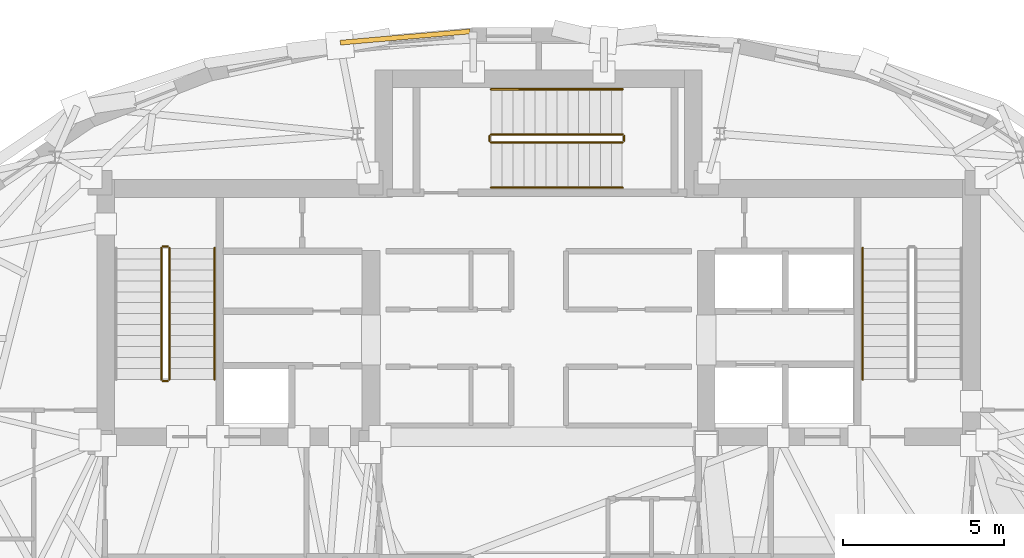
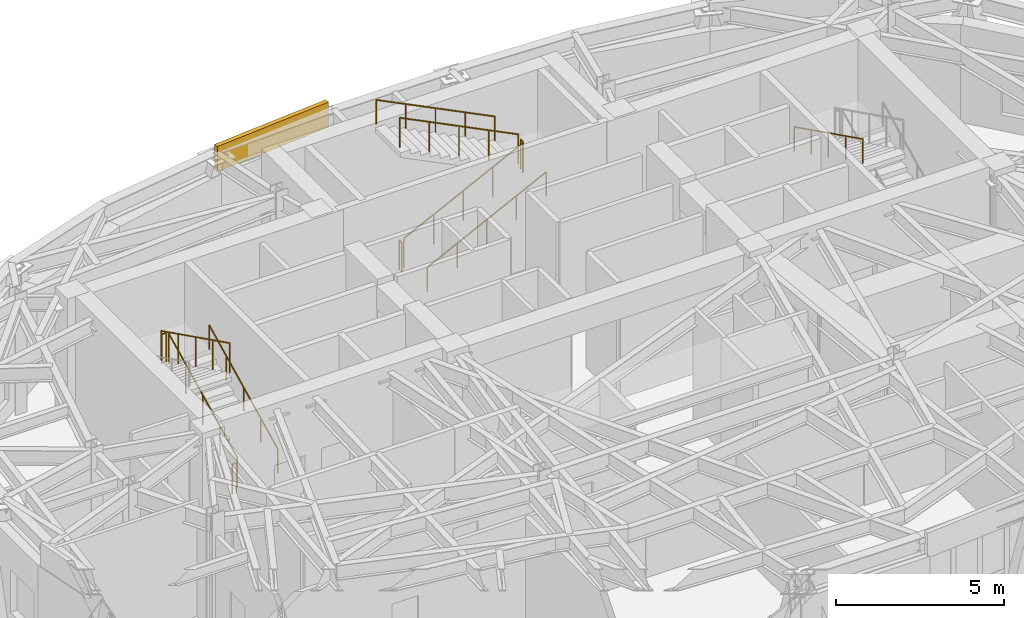
# One storey, part 14 of 15: 12 railings, 1 covering.
"""IFC4 building model written with IfcOpenShell, lengths in metres."""

import ifcopenshell
import ifcopenshell.guid

model = None  # the IFC model being written
_history = None  # IfcOwnerHistory: only IFC2X3 demands one
_inside = {}  # id of a spatial element -> (the spatial element, [elements in it])
_under = {}  # id of a project, library or spatial element -> (it, [spatial elements below it])
_declared = {}  # id of a project -> (the project, [libraries it declares])
_typed = {}  # id of a type object -> (the type object, [elements of that type])
_made_of = {}  # id of a material, layer set ... -> (it, [elements and type objects made of it])


def new_model(schema):
    """Start an empty IFC model of exactly this schema.

    Asked for "IFC4X3", IfcOpenShell would pick the latest addendum, in which some entities
    have other attributes; the version numbers below select the first issue.
    IFC2X3 requires an IfcOwnerHistory on every rooted entity: one is made here for all.
    """
    global model, _history
    if schema == "IFC4X3":
        model = ifcopenshell.file(schema_version=(4, 3, 0, 0))
    else:
        model = ifcopenshell.file(schema=schema)
    _inside.clear()
    _under.clear()
    _declared.clear()
    _typed.clear()
    _made_of.clear()
    _history = None
    if model.schema == "IFC2X3":
        org = make("IfcOrganization", Name="unknown")
        user = make(
            "IfcPersonAndOrganization",
            ThePerson=make("IfcPerson", FamilyName="unknown"),
            TheOrganization=org,
        )
        app = make(
            "IfcApplication",
            ApplicationDeveloper=org,
            Version="unknown",
            ApplicationFullName="unknown",
            ApplicationIdentifier="unknown",
        )
        _history = make(
            "IfcOwnerHistory",
            OwningUser=user,
            OwningApplication=app,
            ChangeAction="ADDED",
            CreationDate=0,
        )
    return model


def make(cls, **values):
    """One entity of the class cls with the attributes given. An attribute that is None is left unset."""
    return model.create_entity(
        cls, **{name: value for name, value in values.items() if value is not None}
    )


def rooted(cls, **values):
    """An entity with a GlobalId (a new one), such as an element, a storey or a relation."""
    return make(cls, GlobalId=ifcopenshell.guid.new(), OwnerHistory=_history, **values)


def si_unit(unit_type, name, prefix=None):
    """IfcSIUnit, for example si_unit("LENGTHUNIT", "METRE", prefix="MILLI")."""
    return make("IfcSIUnit", UnitType=unit_type, Prefix=prefix, Name=name)


def assignment(units):
    """IfcUnitAssignment: the units of a project."""
    return None if units is None else make("IfcUnitAssignment", Units=units)


def point(xyz):
    """IfcCartesianPoint."""
    return None if xyz is None else make("IfcCartesianPoint", Coordinates=xyz)


def direction(xyz):
    """IfcDirection."""
    return None if xyz is None else make("IfcDirection", DirectionRatios=xyz)


def frame(location, z_axis=None, x_axis=None):
    """IfcAxis2Placement3D, a coordinate frame: its origin and axes. An axis left out is left unset."""
    return make(
        "IfcAxis2Placement3D",
        Location=point(location),
        Axis=direction(z_axis),
        RefDirection=direction(x_axis),
    )


def frame_2d(location, x_axis=None):
    """IfcAxis2Placement2D, a coordinate frame in the plane: its origin and x axis."""
    return make(
        "IfcAxis2Placement2D", Location=point(location), RefDirection=direction(x_axis)
    )


def origin():
    """The frame at (0, 0, 0) with its axes left unset."""
    return frame((0.0, 0.0, 0.0))


def origin_2d():
    """The frame at (0, 0) in the plane with its x axis left unset."""
    return frame_2d((0.0, 0.0))


def place(relative_to, where):
    """IfcLocalPlacement: puts the frame where relative to a parent placement (None: the world)."""
    return make(
        "IfcLocalPlacement", PlacementRelTo=relative_to, RelativePlacement=where
    )


def context(
    kind, dimensions, precision=None, world=None, true_north=None, identifier=None
):
    """IfcGeometricRepresentationContext, for example the 3D "Model" context."""
    return make(
        "IfcGeometricRepresentationContext",
        ContextIdentifier=identifier,
        ContextType=kind,
        CoordinateSpaceDimension=dimensions,
        Precision=precision,
        WorldCoordinateSystem=world,
        TrueNorth=true_north,
    )


def subcontext(parent, identifier, kind, view, scale=None):
    """IfcGeometricRepresentationSubContext, for example "Body" below "Model"."""
    return make(
        "IfcGeometricRepresentationSubContext",
        ContextIdentifier=identifier,
        ContextType=kind,
        ParentContext=parent,
        TargetScale=scale,
        TargetView=view,
    )


def project(units=None, contexts=None):
    """IfcProject with its units and contexts."""
    return rooted(
        "IfcProject",
        Name="project",
        RepresentationContexts=contexts,
        UnitsInContext=assignment(units),
    )


def spatial(cls, under=None, at=None, **own):
    """A site, building, storey or space (cls), placed at a placement, below another one or the project."""
    s = rooted(cls, ObjectPlacement=at, **own)
    if under is not None:
        _under.setdefault(under.id(), (under, []))[1].append(s)
    return s


def profile(cls, at=None, kind="AREA", **sizes):
    """A parametric profile (cls). Its sizes go by their IFC names, for example OverallWidth=200.0."""
    return make(cls, ProfileType=kind, Position=at, **sizes)


def rectangle(**sizes):
    """IfcRectangleProfileDef."""
    return profile("IfcRectangleProfileDef", **sizes)


def circle(**sizes):
    """IfcCircleProfileDef."""
    return profile("IfcCircleProfileDef", **sizes)


def extrude(swept, where, along, depth):
    """IfcExtrudedAreaSolid: the profile swept, set in the frame where, extruded along a direction by depth."""
    return make(
        "IfcExtrudedAreaSolid",
        SweptArea=swept,
        Position=where,
        ExtrudedDirection=direction(along),
        Depth=depth,
    )


def shape(context_of_items, identifier, shape_type, items):
    """IfcShapeRepresentation: the items that make up one representation, for example the "Body"."""
    return make(
        "IfcShapeRepresentation",
        ContextOfItems=context_of_items,
        RepresentationIdentifier=identifier,
        RepresentationType=shape_type,
        Items=items,
    )


def material(Name=None, Category=None):
    """IfcMaterial."""
    return make("IfcMaterial", Name=Name, Category=Category)


def layer(
    of_material, thickness, ventilated=None, Name=None, Category=None, Priority=None
):
    """IfcMaterialLayer: one layer of a wall or slab, of a material (None: an air gap)."""
    return make(
        "IfcMaterialLayer",
        Material=of_material,
        LayerThickness=thickness,
        IsVentilated=ventilated,
        Name=Name,
        Category=Category,
        Priority=Priority,
    )


def layer_set(layers, Name=None):
    """IfcMaterialLayerSet."""
    return make("IfcMaterialLayerSet", MaterialLayers=layers, LayerSetName=Name)


def made_of(thing, what):
    """Note that an element or type object is made of a material, layer set ...; save() writes the relation."""
    if what is not None:
        _made_of.setdefault(what.id(), (what, []))[1].append(thing)
    return thing


def type_object(cls, material=None, **own):
    """A type object (cls), such as IfcWallType, which elements share."""
    return made_of(rooted(cls, **own), material)


def element(
    cls,
    number,
    at=None,
    inside=None,
    cuts=None,
    type_object=None,
    material=None,
    context=None,
    identifier="Body",
    shape_type=None,
    held_by="IfcProductDefinitionShape",
    body=None,
    shapes=None,
    **own,
):
    """One element of the class cls, such as IfcWall. Its Tag is "e" and its number.

    at: its placement. inside: the storey or other place that contains it. cuts: it is an
    opening in that element (IfcRelVoidsElement). A single representation is given by context,
    identifier, shape_type and body (its items); several are given by shapes. held_by: the class
    of the entity that holds the representations. save() writes the other relations.
    """
    e = rooted(cls, Tag="e%d" % number, ObjectPlacement=at, **own)
    if body is not None:
        shapes = [shape(context, identifier, shape_type, body)]
    if shapes is not None:
        e.Representation = make(held_by, Representations=shapes)
    if inside is not None:
        _inside.setdefault(inside.id(), (inside, []))[1].append(e)
    if cuts is not None:
        rooted(
            "IfcRelVoidsElement", RelatingBuildingElement=cuts, RelatedOpeningElement=e
        )
    if type_object is not None:
        _typed.setdefault(type_object.id(), (type_object, []))[1].append(e)
    return made_of(e, material)


def aggregate(whole, parts):
    """IfcRelAggregates: a whole, such as a stair, and the parts it consists of."""
    return rooted("IfcRelAggregates", RelatingObject=whole, RelatedObjects=parts)


def save(model, path):
    """Write the relations noted so far, then the file.

    IfcRelAggregates (storeys below a building ...), IfcRelContainedInSpatialStructure (elements
    in a storey), IfcRelDefinesByType, IfcRelAssociatesMaterial and IfcRelDeclares: one each for
    every whole, place, type object, material and project.
    """
    for whole, parts in _under.values():
        aggregate(whole, parts)
    for where, things in _inside.values():
        rooted(
            "IfcRelContainedInSpatialStructure",
            RelatedElements=things,
            RelatingStructure=where,
        )
    for kind, things in _typed.values():
        rooted("IfcRelDefinesByType", RelatedObjects=things, RelatingType=kind)
    for what, things in _made_of.values():
        rooted("IfcRelAssociatesMaterial", RelatedObjects=things, RelatingMaterial=what)
    for by, libraries in _declared.values():
        rooted("IfcRelDeclares", RelatingContext=by, RelatedDefinitions=libraries)
    model.write(path)


model = new_model("IFC4")

# Units and contexts
model_context = context("Model", 3, precision=1e-05, world=origin(), true_north=direction((0.0, 1.0)))
body_context = subcontext(model_context, "Body", "Model", "MODEL_VIEW")
ifc_project = project(units=[si_unit("LENGTHUNIT", "METRE"), si_unit("AREAUNIT", "SQUARE_METRE"), si_unit("VOLUMEUNIT", "CUBIC_METRE"), si_unit("PLANEANGLEUNIT", "RADIAN"), si_unit("MASSUNIT", "GRAM", prefix="KILO")], contexts=[model_context])

# Site, building, storey
site_placement = place(None, origin())
site = spatial("IfcSite", under=ifc_project, at=site_placement, CompositionType="ELEMENT")
building_placement = place(site_placement, origin())
building = spatial("IfcBuilding", under=site, at=building_placement, Name="Keldmark Tower", CompositionType="ELEMENT")
storey_placement = place(building_placement, frame((0.0, 0.0, 260.39990234375)))
storey = spatial("IfcBuildingStorey", under=building, at=storey_placement, Name="L74", CompositionType="ELEMENT", Elevation=260.39990234375)

# Covering
ifc_material_1 = material(Name="Honed Kasota Buff Dolomitic Limestone", Category="masonry")
ifc_layer = layer(ifc_material_1, 0.074951171875)
ifc_layer_set = layer_set([ifc_layer], Name="Honed Kasota Buff Dolomitic Limestone")
covering_type = type_object("IfcCoveringType", Name="Kasota Buff Limestone Spandrel Cladding Band", PredefinedType="CLADDING", material=ifc_layer_set)
covering_placement = place(storey_placement, frame((-4.135986328125, 13.969482421875, 3.47021484375), z_axis=(0.0, 0.0, 1.0), x_axis=(-0.996255301507, -0.086460246466, 0.0)))
element("IfcCovering", 1, at=covering_placement, inside=storey, type_object=covering_type, Name="L74 Kasota Limestone Spandrel Band 09", PredefinedType="CLADDING", context=body_context, shape_type="SweptSolid", body=[
    extrude(rectangle(XDim=4.04345703125, YDim=0.14990234375, at=origin_2d()), origin(), (0.0, 0.0, 1.0), 0.909912109375),
])

# Railings
ifc_material_2 = material(Name="Painted Steel ASTM A500 Grade B", Category="steel")
railing_type_1 = type_object("IfcRailingType", Name="Painted Steel Stair Well Guard 1100 mm", PredefinedType="GUARDRAIL", material=ifc_material_2)
railing_1_placement = place(storey_placement, frame((-11.449951171875, 3.35009765625, 0.16943359375)))
element("IfcRailing", 2, at=railing_1_placement, inside=storey, type_object=railing_type_1, Name="L74 ST1 stair guard 1", PredefinedType="GUARDRAIL", context=body_context, shape_type="SweptSolid", body=[
    extrude(circle(Radius=0.02392578125, at=origin_2d()), frame((0.0, 0.0, 1.076171875), z_axis=(0.0, 0.895229316009, 0.445605735777), x_axis=(-1.0, 0.0, 0.0)), (0.0, 0.0, 1.0), 4.557373046875),
    extrude(circle(Radius=0.02099609375, at=origin_2d()), origin(), (0.0, 0.0, 1.0), 1.052001953125),
    extrude(circle(Radius=0.02099609375, at=origin_2d()), frame((0.0, 1.02001953125, 0.5078125)), (0.0, 0.0, 1.0), 1.052001953125),
    extrude(circle(Radius=0.02099609375, at=origin_2d()), frame((0.0, 2.0400390625, 1.015380859375)), (0.0, 0.0, 1.0), 1.052001953125),
    extrude(circle(Radius=0.02099609375, at=origin_2d()), frame((0.0, 3.059814453125, 1.52294921875)), (0.0, 0.0, 1.0), 1.052001953125),
    extrude(circle(Radius=0.02099609375, at=origin_2d()), frame((0.0, 4.079833984375, 2.03076171875)), (0.0, 0.0, 1.0), 1.052001953125),
])
railing_2_placement = place(storey_placement, frame((-11.5, 7.47998046875, 2.2001953125)))
element("IfcRailing", 3, at=railing_2_placement, inside=storey, type_object=railing_type_1, Name="L74 ST1 stair guard 2", PredefinedType="GUARDRAIL", context=body_context, shape_type="SweptSolid", body=[
    extrude(circle(Radius=0.02392578125, at=origin_2d()), frame((0.0, 0.0, 1.076171875), z_axis=(-1.0, 0.0, 0.0), x_axis=(0.0, -1.0, 0.0)), (0.0, 0.0, 1.0), 0.14990234375),
    extrude(circle(Radius=0.02099609375, at=origin_2d()), origin(), (0.0, 0.0, 1.0), 1.052001953125),
    extrude(circle(Radius=0.02099609375, at=origin_2d()), frame((-0.14990234375, 0.0, 0.0)), (0.0, 0.0, 1.0), 1.052001953125),
])
railing_3_placement = place(storey_placement, frame((-11.699951171875, 7.429931640625, 2.369384765625)))
element("IfcRailing", 4, at=railing_3_placement, inside=storey, type_object=railing_type_1, Name="L74 ST1 stair guard 3", PredefinedType="GUARDRAIL", context=body_context, shape_type="SweptSolid", body=[
    extrude(circle(Radius=0.02392578125, at=origin_2d()), frame((0.0, 0.0, 1.076171875), z_axis=(0.0, -0.895229316009, 0.445605735777), x_axis=(1.0, 0.0, 0.0)), (0.0, 0.0, 1.0), 4.557373046875),
    extrude(circle(Radius=0.02099609375, at=origin_2d()), origin(), (0.0, 0.0, 1.0), 1.052001953125),
    extrude(circle(Radius=0.02099609375, at=origin_2d()), frame((0.0, -1.02001953125, 0.5078125)), (0.0, 0.0, 1.0), 1.052001953125),
    extrude(circle(Radius=0.02099609375, at=origin_2d()), frame((0.0, -2.0400390625, 1.015380859375)), (0.0, 0.0, 1.0), 1.052001953125),
    extrude(circle(Radius=0.02099609375, at=origin_2d()), frame((0.0, -3.059814453125, 1.52294921875)), (0.0, 0.0, 1.0), 1.052001953125),
    extrude(circle(Radius=0.02099609375, at=origin_2d()), frame((0.0, -4.079833984375, 2.03076171875)), (0.0, 0.0, 1.0), 1.052001953125),
])
railing_4_placement = place(storey_placement, frame((-11.5, 3.300048828125, 0.0)))
element("IfcRailing", 5, at=railing_4_placement, inside=storey, type_object=railing_type_1, Name="L74 ST1 stair guard 4", PredefinedType="GUARDRAIL", context=body_context, shape_type="SweptSolid", body=[
    extrude(circle(Radius=0.02392578125, at=origin_2d()), frame((0.0, 0.0, 1.076171875), z_axis=(-1.0, 0.0, 0.0), x_axis=(0.0, -1.0, 0.0)), (0.0, 0.0, 1.0), 0.14990234375),
    extrude(circle(Radius=0.02099609375, at=origin_2d()), origin(), (0.0, 0.0, 1.0), 1.052001953125),
    extrude(circle(Radius=0.02099609375, at=origin_2d()), frame((-0.14990234375, 0.0, 0.0)), (0.0, 0.0, 1.0), 1.052001953125),
])
railing_5_placement = place(storey_placement, frame((-1.47509765625, 10.699951171875, 0.16943359375)))
element("IfcRailing", 6, at=railing_5_placement, inside=storey, type_object=railing_type_1, Name="L74 ST3 stair guard 1", PredefinedType="GUARDRAIL", context=body_context, shape_type="SweptSolid", body=[
    extrude(circle(Radius=0.02392578125, at=origin_2d()), frame((0.0, 0.0, 1.076171875), z_axis=(0.895239952593, 0.0, 0.445584366064), x_axis=(0.0, 1.0, 0.0)), (0.0, 0.0, 1.0), 4.5576171875),
    extrude(circle(Radius=0.02099609375, at=origin_2d()), origin(), (0.0, 0.0, 1.0), 1.052001953125),
    extrude(circle(Radius=0.02099609375, at=origin_2d()), frame((1.02001953125, 0.0, 0.5078125)), (0.0, 0.0, 1.0), 1.052001953125),
    extrude(circle(Radius=0.02099609375, at=origin_2d()), frame((2.0400390625, 0.0, 1.015380859375)), (0.0, 0.0, 1.0), 1.052001953125),
    extrude(circle(Radius=0.02099609375, at=origin_2d()), frame((3.06005859375, 0.0, 1.52294921875)), (0.0, 0.0, 1.0), 1.052001953125),
    extrude(circle(Radius=0.02099609375, at=origin_2d()), frame((4.080078125, 0.0, 2.03076171875)), (0.0, 0.0, 1.0), 1.052001953125),
])
railing_6_placement = place(storey_placement, frame((2.655029296875, 10.75, 2.2001953125)))
element("IfcRailing", 7, at=railing_6_placement, inside=storey, type_object=railing_type_1, Name="L74 ST3 stair guard 2", PredefinedType="GUARDRAIL", context=body_context, shape_type="SweptSolid", body=[
    extrude(circle(Radius=0.02392578125, at=origin_2d()), frame((0.0, 0.0, 1.076171875), z_axis=(0.0, 1.0, 0.0), x_axis=(-1.0, 0.0, 0.0)), (0.0, 0.0, 1.0), 0.14990234375),
    extrude(circle(Radius=0.02099609375, at=origin_2d()), origin(), (0.0, 0.0, 1.0), 1.052001953125),
    extrude(circle(Radius=0.02099609375, at=origin_2d()), frame((0.0, 0.14990234375, 0.0)), (0.0, 0.0, 1.0), 1.052001953125),
])
railing_7_placement = place(storey_placement, frame((2.60498046875, 10.949951171875, 2.369384765625)))
element("IfcRailing", 8, at=railing_7_placement, inside=storey, type_object=railing_type_1, Name="L74 ST3 stair guard 3", PredefinedType="GUARDRAIL", context=body_context, shape_type="SweptSolid", body=[
    extrude(circle(Radius=0.02392578125, at=origin_2d()), frame((0.0, 0.0, 1.076171875), z_axis=(-0.895239952593, 0.0, 0.445584366064), x_axis=(0.0, -1.0, 0.0)), (0.0, 0.0, 1.0), 4.5576171875),
    extrude(circle(Radius=0.02099609375, at=origin_2d()), origin(), (0.0, 0.0, 1.0), 1.052001953125),
    extrude(circle(Radius=0.02099609375, at=origin_2d()), frame((-1.02001953125, 0.0, 0.5078125)), (0.0, 0.0, 1.0), 1.052001953125),
    extrude(circle(Radius=0.02099609375, at=origin_2d()), frame((-2.0400390625, 0.0, 1.015380859375)), (0.0, 0.0, 1.0), 1.052001953125),
    extrude(circle(Radius=0.02099609375, at=origin_2d()), frame((-3.06005859375, 0.0, 1.52294921875)), (0.0, 0.0, 1.0), 1.052001953125),
    extrude(circle(Radius=0.02099609375, at=origin_2d()), frame((-4.080078125, 0.0, 2.03076171875)), (0.0, 0.0, 1.0), 1.052001953125),
])
railing_8_placement = place(storey_placement, frame((-1.52490234375, 10.75, 0.0)))
element("IfcRailing", 9, at=railing_8_placement, inside=storey, type_object=railing_type_1, Name="L74 ST3 stair guard 4", PredefinedType="GUARDRAIL", context=body_context, shape_type="SweptSolid", body=[
    extrude(circle(Radius=0.02392578125, at=origin_2d()), frame((0.0, 0.0, 1.076171875), z_axis=(0.0, 1.0, 0.0), x_axis=(-1.0, 0.0, 0.0)), (0.0, 0.0, 1.0), 0.14990234375),
    extrude(circle(Radius=0.02099609375, at=origin_2d()), origin(), (0.0, 0.0, 1.0), 1.052001953125),
    extrude(circle(Radius=0.02099609375, at=origin_2d()), frame((0.0, 0.14990234375, 0.0)), (0.0, 0.0, 1.0), 1.052001953125),
])
ifc_material_3 = material(Name="Stainless Steel AISI 316L", Category="steel")
railing_type_2 = type_object("IfcRailingType", Name="Stainless Steel Stair Handrail 900 mm", PredefinedType="HANDRAIL", material=ifc_material_3)
railing_9_placement = place(storey_placement, frame((-10.050048828125, 3.35009765625, 0.16943359375)))
element("IfcRailing", 10, at=railing_9_placement, inside=storey, type_object=railing_type_2, Name="L74 ST1 stair handrail 1", PredefinedType="HANDRAIL", context=body_context, shape_type="SweptSolid", body=[
    extrude(circle(Radius=0.02392578125, at=origin_2d()), frame((0.0, 0.0, 0.8759765625), z_axis=(0.0, 0.895229316009, 0.445605735777), x_axis=(-1.0, 0.0, 0.0)), (0.0, 0.0, 1.0), 4.557373046875),
    extrude(circle(Radius=0.02099609375, at=origin_2d()), origin(), (0.0, 0.0, 1.0), 0.851806640625),
    extrude(circle(Radius=0.02099609375, at=origin_2d()), frame((0.0, 1.02001953125, 0.5078125)), (0.0, 0.0, 1.0), 0.851806640625),
    extrude(circle(Radius=0.02099609375, at=origin_2d()), frame((0.0, 2.0400390625, 1.015380859375)), (0.0, 0.0, 1.0), 0.851806640625),
    extrude(circle(Radius=0.02099609375, at=origin_2d()), frame((0.0, 3.059814453125, 1.52294921875)), (0.0, 0.0, 1.0), 0.851806640625),
    extrude(circle(Radius=0.02099609375, at=origin_2d()), frame((0.0, 4.079833984375, 2.03076171875)), (0.0, 0.0, 1.0), 0.851806640625),
])
railing_10_placement = place(storey_placement, frame((10.050048828125, 7.429931640625, 2.369384765625)))
element("IfcRailing", 11, at=railing_10_placement, inside=storey, type_object=railing_type_2, Name="L74 ST2 stair handrail 2", PredefinedType="HANDRAIL", context=body_context, shape_type="SweptSolid", body=[
    extrude(circle(Radius=0.02392578125, at=origin_2d()), frame((0.0, 0.0, 0.8759765625), z_axis=(0.0, -0.895229316009, 0.445605735777), x_axis=(1.0, 0.0, 0.0)), (0.0, 0.0, 1.0), 4.557373046875),
    extrude(circle(Radius=0.02099609375, at=origin_2d()), origin(), (0.0, 0.0, 1.0), 0.851806640625),
    extrude(circle(Radius=0.02099609375, at=origin_2d()), frame((0.0, -1.02001953125, 0.5078125)), (0.0, 0.0, 1.0), 0.851806640625),
    extrude(circle(Radius=0.02099609375, at=origin_2d()), frame((0.0, -2.0400390625, 1.015380859375)), (0.0, 0.0, 1.0), 0.851806640625),
    extrude(circle(Radius=0.02099609375, at=origin_2d()), frame((0.0, -3.059814453125, 1.52294921875)), (0.0, 0.0, 1.0), 0.851806640625),
    extrude(circle(Radius=0.02099609375, at=origin_2d()), frame((0.0, -4.079833984375, 2.03076171875)), (0.0, 0.0, 1.0), 0.851806640625),
])
railing_11_placement = place(storey_placement, frame((-1.47509765625, 9.300048828125, 0.16943359375)))
element("IfcRailing", 12, at=railing_11_placement, inside=storey, type_object=railing_type_2, Name="L74 ST3 stair handrail 1", PredefinedType="HANDRAIL", context=body_context, shape_type="SweptSolid", body=[
    extrude(circle(Radius=0.02392578125, at=origin_2d()), frame((0.0, 0.0, 0.8759765625), z_axis=(0.895239952593, 0.0, 0.445584366064), x_axis=(0.0, 1.0, 0.0)), (0.0, 0.0, 1.0), 4.5576171875),
    extrude(circle(Radius=0.02099609375, at=origin_2d()), origin(), (0.0, 0.0, 1.0), 0.851806640625),
    extrude(circle(Radius=0.02099609375, at=origin_2d()), frame((1.02001953125, 0.0, 0.5078125)), (0.0, 0.0, 1.0), 0.851806640625),
    extrude(circle(Radius=0.02099609375, at=origin_2d()), frame((2.0400390625, 0.0, 1.015380859375)), (0.0, 0.0, 1.0), 0.851806640625),
    extrude(circle(Radius=0.02099609375, at=origin_2d()), frame((3.06005859375, 0.0, 1.52294921875)), (0.0, 0.0, 1.0), 0.851806640625),
    extrude(circle(Radius=0.02099609375, at=origin_2d()), frame((4.080078125, 0.0, 2.03076171875)), (0.0, 0.0, 1.0), 0.851806640625),
])
railing_12_placement = place(storey_placement, frame((2.60498046875, 12.35009765625, 2.369384765625)))
element("IfcRailing", 13, at=railing_12_placement, inside=storey, type_object=railing_type_2, Name="L74 ST3 stair handrail 2", PredefinedType="HANDRAIL", context=body_context, shape_type="SweptSolid", body=[
    extrude(circle(Radius=0.02392578125, at=origin_2d()), frame((0.0, 0.0, 0.8759765625), z_axis=(-0.895239952593, 0.0, 0.445584366064), x_axis=(0.0, -1.0, 0.0)), (0.0, 0.0, 1.0), 4.5576171875),
    extrude(circle(Radius=0.02099609375, at=origin_2d()), origin(), (0.0, 0.0, 1.0), 0.851806640625),
    extrude(circle(Radius=0.02099609375, at=origin_2d()), frame((-1.02001953125, 0.0, 0.5078125)), (0.0, 0.0, 1.0), 0.851806640625),
    extrude(circle(Radius=0.02099609375, at=origin_2d()), frame((-2.0400390625, 0.0, 1.015380859375)), (0.0, 0.0, 1.0), 0.851806640625),
    extrude(circle(Radius=0.02099609375, at=origin_2d()), frame((-3.06005859375, 0.0, 1.52294921875)), (0.0, 0.0, 1.0), 0.851806640625),
    extrude(circle(Radius=0.02099609375, at=origin_2d()), frame((-4.080078125, 0.0, 2.03076171875)), (0.0, 0.0, 1.0), 0.851806640625),
])

save(model, "model.ifc")
